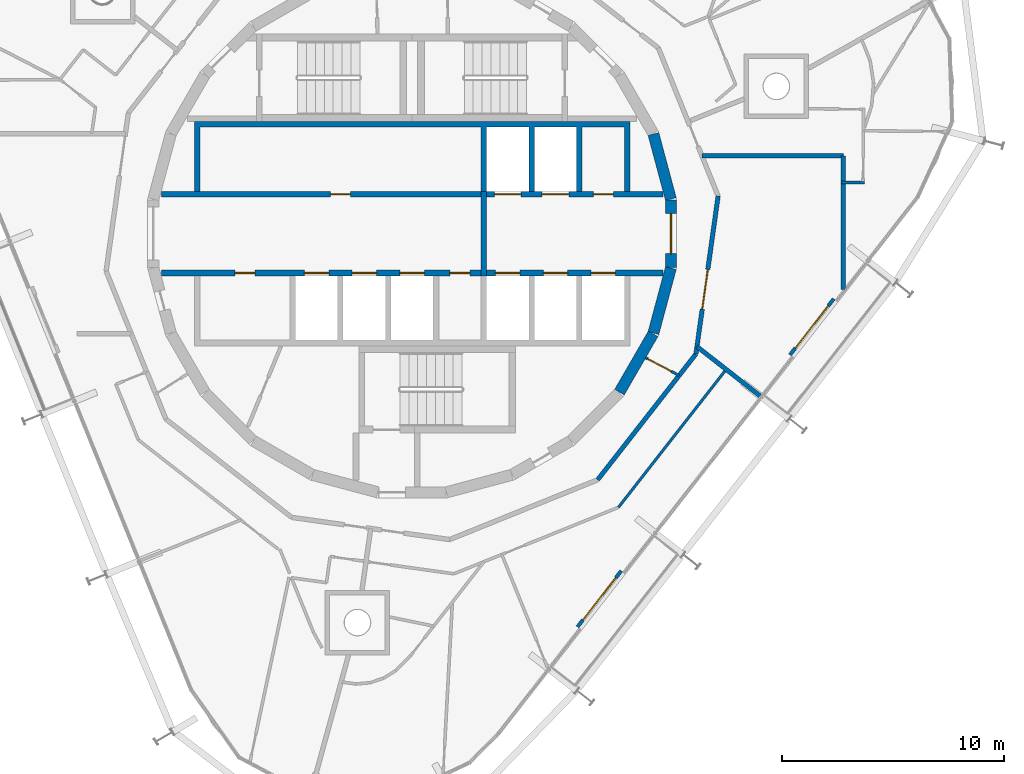
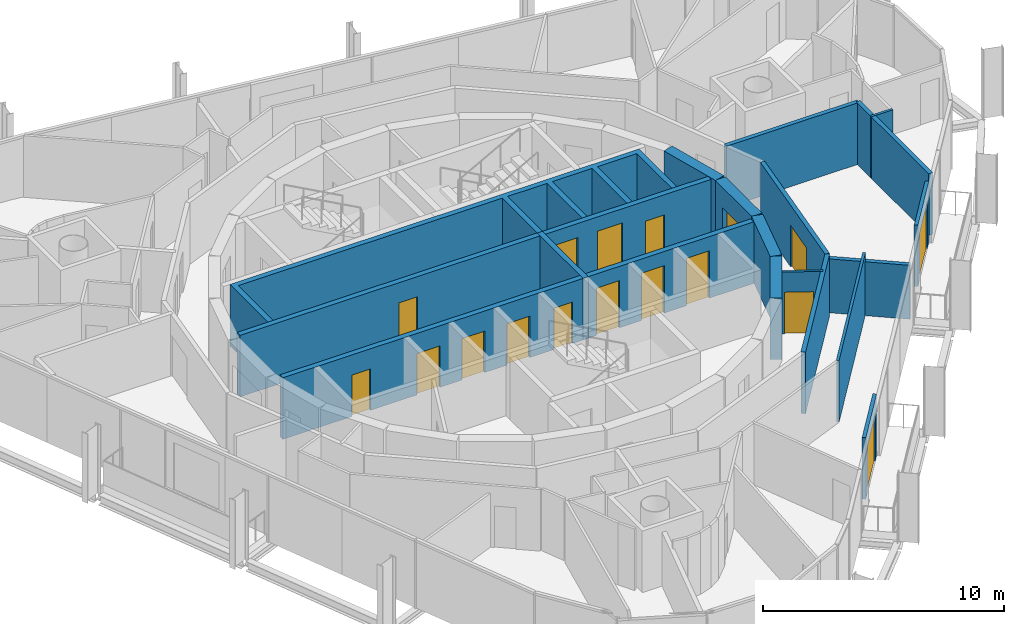
# One storey, part 11 of 15: 20 walls, 17 doors, 17 openings.
"""IFC4 building model written with IfcOpenShell, lengths in metres."""

from ifc_helpers import new_model, si_unit, direction, frame, frame_2d, origin, place, context, subcontext, project, spatial, polyline, rectangle, outline, extrude, material, layer, layer_set, type_object, element, fill, save


model = new_model("IFC4")

# Units and contexts
model_context = context("Model", 3, precision=1e-05, world=origin(), true_north=direction((0.0, 1.0)))
body_context = subcontext(model_context, "Body", "Model", "MODEL_VIEW")
ifc_project = project(units=[si_unit("LENGTHUNIT", "METRE"), si_unit("AREAUNIT", "SQUARE_METRE"), si_unit("VOLUMEUNIT", "CUBIC_METRE"), si_unit("PLANEANGLEUNIT", "RADIAN"), si_unit("MASSUNIT", "GRAM", prefix="KILO")], contexts=[model_context])

# Site, building, storey
site_placement = place(None, origin())
site = spatial("IfcSite", under=ifc_project, at=site_placement, CompositionType="ELEMENT")
building_placement = place(site_placement, origin())
building = spatial("IfcBuilding", under=site, at=building_placement, Name="Spindle Arch Residences", CompositionType="ELEMENT")
storey_placement = place(building_placement, frame((0.0, 0.0, 354.0)))
storey = spatial("IfcBuildingStorey", under=building, at=storey_placement, Name="L91", CompositionType="ELEMENT", Elevation=354.0)

# Walls
ifc_material_1 = material(Name="Concrete C50/60", Category="concrete")
ifc_layer_1 = layer(ifc_material_1, 0.5)
ifc_layer_set_1 = layer_set([ifc_layer_1], Name="Core outline wall 500")
wall_type_1 = type_object("IfcWallType", Name="Core outline wall 500", PredefinedType="SHEAR", material=ifc_layer_set_1)
for number, where, z_axis, x_axis, name in (
    (1, (9.32861328125, -7.13671875, 0.0), (0.0, 0.0, 1.0), (0.500087131594, 0.865975092491, 0.0), "Core outline wall 4"),
    (2, (10.858154296875, -4.479248046875, 0.0), (0.0, 0.0, 1.0), (0.258734743916, 0.965948410781, 0.0), "Core outline wall 5"),
):
    element("IfcWall", number, at=place(storey_placement, frame(where, z_axis=z_axis, x_axis=x_axis)), inside=storey, type_object=wall_type_1, Name=name, PredefinedType="SHEAR", context=body_context, shape_type="SweptSolid", body=[
        extrude(rectangle(XDim=3.03271484375, YDim=0.5, at=frame_2d((1.516357421875, 0.0))), origin(), (0.0, 0.0, 1.0), 3.1201171875),
    ])

# Wall, opening, door
wall_1_placement = place(storey_placement, frame((11.647216796875, -1.516357421875, 0.0), z_axis=(0.0, 0.0, 1.0), x_axis=(0.0, 1.0, 0.0)))
wall_1 = element("IfcWall", 3, at=wall_1_placement, inside=storey, type_object=wall_type_1, Name="Core outline wall 6", PredefinedType="SHEAR", context=body_context, shape_type="SweptSolid", body=[
    extrude(rectangle(XDim=3.03271484375, YDim=0.5, at=frame_2d((1.516357421875, 0.0))), origin(), (0.0, 0.0, 1.0), 3.1201171875),
])
opening_1_placement = place(wall_1_placement, frame((0.6162109375, 0.0, 0.0)))
opening_1 = element("IfcOpeningElement", 4, at=opening_1_placement, cuts=wall_1, Name="Opening R9C0-FE01", PredefinedType="OPENING", context=body_context, shape_type="SweptSolid", body=[
    extrude(rectangle(XDim=1.800048828125, YDim=2.10009765625, at=frame_2d((0.89990234375, 1.050048828125))), frame((0.0, 0.260009765625, 0.0), z_axis=(0.0, -1.0, 0.0), x_axis=(1.0, 0.0, 0.0)), (0.0, 0.0, 1.0), 0.52001953125),
])
ifc_material_2 = material(Name="Steel, fire-resisting door", Category="steel")
door_type_1 = type_object("IfcDoorType", Name="Fire-lift lobby door 1800x2100", OperationType="DOUBLE_DOOR_SINGLE_SWING", PredefinedType="DOOR", material=ifc_material_2)
door_1_placement = place(opening_1_placement, origin())
door_1 = element("IfcDoor", 5, at=door_1_placement, inside=storey, type_object=door_type_1, Name="Fire-lift lobby door R9C0-FE01", OperationType="DOUBLE_DOOR_SINGLE_SWING", OverallHeight=2.10009765625, OverallWidth=1.800048828125, PredefinedType="DOOR", context=body_context, shape_type="SweptSolid", body=[
    extrude(rectangle(XDim=1.800048828125, YDim=2.10009765625, at=frame_2d((0.89990234375, 1.050048828125))), frame((0.0, 0.02490234375, 0.0), z_axis=(0.0, -1.0, 0.0), x_axis=(1.0, 0.0, 0.0)), (0.0, 0.0, 1.0), 0.050048828125),
])
fill(opening_1, door_1)

# Wall
wall_2_placement = place(storey_placement, frame((11.642822265625, 1.5498046875, 0.0), z_axis=(0.0, 0.0, 1.0), x_axis=(-0.258734743916, 0.965948410781, 0.0)))
element("IfcWall", 6, at=wall_2_placement, inside=storey, type_object=wall_type_1, Name="Core outline wall 7", PredefinedType="SHEAR", context=body_context, shape_type="SweptSolid", body=[
    extrude(rectangle(XDim=3.03271484375, YDim=0.5, at=frame_2d((1.516357421875, 0.0))), origin(), (0.0, 0.0, 1.0), 3.1201171875),
])

# Wall, opening, door
ifc_material_3 = material(Name="Plasterboard on steel studs", Category="steel")
ifc_layer_2 = layer(ifc_material_3, 0.1201171875)
ifc_layer_set_2 = layer_set([ifc_layer_2], Name="Corridor division wall 120")
wall_type_2 = type_object("IfcWallType", Name="Corridor division wall 120", PredefinedType="PARTITIONING", material=ifc_layer_set_2)
wall_3_placement = place(storey_placement, frame((10.510986328125, -5.5888671875, 0.0), z_axis=(0.0, 0.0, 1.0), x_axis=(0.882959677414, -0.469448834337, 0.0)))
wall_3 = element("IfcWall", 7, at=wall_3_placement, inside=storey, type_object=wall_type_2, Name="Corridor division wall R9C0-W002", PredefinedType="PARTITIONING", context=body_context, shape_type="SweptSolid", body=[
    extrude(rectangle(XDim=1.7021484375, YDim=0.1201171875, at=frame_2d((0.85107421875, 0.0))), origin(), (0.0, 0.0, 1.0), 3.1201171875),
])
opening_2_placement = place(wall_3_placement, frame((0.10009765625, 0.0, 0.0)))
opening_2 = element("IfcOpeningElement", 8, at=opening_2_placement, cuts=wall_3, Name="Opening R9C0-CD02", PredefinedType="OPENING", context=body_context, shape_type="SweptSolid", body=[
    extrude(rectangle(XDim=1.199951171875, YDim=2.10009765625, at=frame_2d((0.60009765625, 1.050048828125))), frame((0.0, 0.070068359375, 0.0), z_axis=(0.0, -1.0, 0.0), x_axis=(1.0, 0.0, 0.0)), (0.0, 0.0, 1.0), 0.14013671875),
])
ifc_material_4 = material(Name="Steel, fire-resisting door", Category="steel")
door_type_2 = type_object("IfcDoorType", Name="Corridor division door 1200x2100", OperationType="NOTDEFINED", PredefinedType="DOOR", material=ifc_material_4)
door_2_placement = place(opening_2_placement, origin())
door_2 = element("IfcDoor", 9, at=door_2_placement, inside=storey, type_object=door_type_2, Name="Corridor division door R9C0-CD02", OperationType="DOUBLE_DOOR_SINGLE_SWING", OverallHeight=2.10009765625, OverallWidth=1.199951171875, PredefinedType="DOOR", context=body_context, shape_type="SweptSolid", body=[
    extrude(rectangle(XDim=1.199951171875, YDim=2.10009765625, at=frame_2d((0.60009765625, 1.050048828125))), frame((0.0, 0.02490234375, 0.0), z_axis=(0.0, -1.0, 0.0), x_axis=(1.0, 0.0, 0.0)), (0.0, 0.0, 1.0), 0.050048828125),
])
fill(opening_2, door_2)

# Wall
ifc_material_5 = material(Name="Calcium silicate block, plastered")
ifc_layer_3 = layer(ifc_material_5, 0.199951171875)
ifc_layer_set_3 = layer_set([ifc_layer_3], Name="Corridor wall 200")
wall_type_3 = type_object("IfcWallType", Name="Corridor wall 200", PredefinedType="STANDARD", material=ifc_layer_set_3)
wall_4_placement = place(storey_placement, frame((8.348876953125, -11.0791015625, 0.0), z_axis=(0.0, 0.0, 1.0), x_axis=(0.615669112324, 0.78800478687, 0.0)))
element("IfcWall", 10, at=wall_4_placement, inside=storey, type_object=wall_type_3, Name="Corridor wall R9C0-W008", PredefinedType="STANDARD", context=body_context, shape_type="SweptSolid", body=[
    extrude(rectangle(XDim=7.18115234375, YDim=0.199951171875, at=frame_2d((3.590576171875, 0.0))), origin(), (0.0, 0.0, 1.0), 3.1201171875),
])

# Wall, opening, door
ifc_material_6 = material(Name="Calcium silicate block, plastered")
ifc_layer_4 = layer(ifc_material_6, 0.199951171875)
ifc_layer_set_4 = layer_set([ifc_layer_4], Name="Fire-lift lobby bay wall 200")
wall_type_4 = type_object("IfcWallType", Name="Fire-lift lobby bay wall 200", PredefinedType="STANDARD", material=ifc_layer_set_4)
wall_5_placement = place(storey_placement, frame((12.77001953125, -5.42041015625, 0.0), z_axis=(0.0, 0.0, 1.0), x_axis=(0.139155334385, 0.990270565508, 0.0)))
wall_5 = element("IfcWall", 11, at=wall_5_placement, inside=storey, type_object=wall_type_4, Name="Fire-lift lobby bay wall R9C0-W004", PredefinedType="STANDARD", context=body_context, shape_type="SweptSolid", body=[
    extrude(rectangle(XDim=7.180908203125, YDim=0.199951171875, at=frame_2d((3.59033203125, 0.0))), origin(), (0.0, 0.0, 1.0), 3.1201171875),
])
opening_3_placement = place(wall_5_placement, frame((2.039306640625, 0.0, 0.0)))
opening_3 = element("IfcOpeningElement", 12, at=opening_3_placement, cuts=wall_5, Name="Opening R9C0-FB01", PredefinedType="OPENING", context=body_context, shape_type="SweptSolid", body=[
    extrude(rectangle(XDim=1.800048828125, YDim=2.10009765625, at=frame_2d((0.89990234375, 1.050048828125))), frame((0.0, 0.10986328125, 0.0), z_axis=(0.0, -1.0, 0.0), x_axis=(1.0, 0.0, 0.0)), (0.0, 0.0, 1.0), 0.219970703125),
])
ifc_material_7 = material(Name="Steel, fire-resisting door", Category="steel")
door_type_3 = type_object("IfcDoorType", Name="Fire-lift lobby bay door 1800x2100", OperationType="NOTDEFINED", PredefinedType="DOOR", material=ifc_material_7)
door_3_placement = place(opening_3_placement, origin())
door_3 = element("IfcDoor", 13, at=door_3_placement, inside=storey, type_object=door_type_3, Name="Fire-lift lobby bay door R9C0-FB01", OperationType="DOUBLE_DOOR_SINGLE_SWING", OverallHeight=2.10009765625, OverallWidth=1.800048828125, PredefinedType="DOOR", context=body_context, shape_type="SweptSolid", body=[
    extrude(rectangle(XDim=1.800048828125, YDim=2.10009765625, at=frame_2d((0.89990234375, 1.050048828125))), frame((0.0, 0.02490234375, 0.0), z_axis=(0.0, -1.0, 0.0), x_axis=(1.0, 0.0, 0.0)), (0.0, 0.0, 1.0), 0.050048828125),
])
fill(opening_3, door_3)

# Walls
wall_6_placement = place(storey_placement, frame((19.39990234375, -2.519287109375, 0.0), z_axis=(0.0, 0.0, 1.0), x_axis=(0.0, 1.0, 0.0)))
element("IfcWall", 14, at=wall_6_placement, inside=storey, type_object=wall_type_4, Name="Fire-lift lobby bay wall R9C0-W020", PredefinedType="STANDARD", context=body_context, shape_type="SweptSolid", body=[
    extrude(rectangle(XDim=6.019287109375, YDim=0.199951171875, at=frame_2d((3.009765625, 0.0))), origin(), (0.0, 0.0, 1.0), 3.1201171875),
])
wall_7_placement = place(storey_placement, frame((19.39990234375, 3.5, 0.0), z_axis=(0.0, 0.0, 1.0), x_axis=(-1.0, 0.0, 0.0)))
element("IfcWall", 15, at=wall_7_placement, inside=storey, type_object=wall_type_4, Name="Fire-lift lobby bay wall R9C0-W021", PredefinedType="STANDARD", context=body_context, shape_type="SweptSolid", body=[
    extrude(rectangle(XDim=6.361572265625, YDim=0.199951171875, at=frame_2d((3.1806640625, 0.0))), origin(), (0.0, 0.0, 1.0), 3.1201171875),
])
ifc_material_8 = material(Name="Calcium silicate block, plastered")
ifc_layer_5 = layer(ifc_material_8, 0.199951171875)
ifc_layer_set_5 = layer_set([ifc_layer_5], Name="Fire-lift lobby bay wall 200 under beam 2730")
wall_type_5 = type_object("IfcWallType", Name="Fire-lift lobby bay wall 200 under beam 2730", PredefinedType="STANDARD", material=ifc_layer_set_5)
wall_8_placement = place(storey_placement, frame((12.81689453125, -5.086181640625, 0.0), z_axis=(0.0, 0.0, 1.0), x_axis=(0.787994616725, -0.615682129034, 0.0)))
element("IfcWall", 16, at=wall_8_placement, inside=storey, type_object=wall_type_5, Name="Fire-lift lobby bay wall R9C0-W022", PredefinedType="STANDARD", context=body_context, shape_type="SweptSolid", body=[
    extrude(rectangle(XDim=3.607177734375, YDim=0.199951171875, at=frame_2d((1.8037109375, 0.0))), origin(), (0.0, 0.0, 1.0), 2.72998046875),
])

# Wall, openings, doors
ifc_material_9 = material(Name="Concrete C40/50", Category="concrete")
ifc_layer_6 = layer(ifc_material_9, 0.25)
ifc_layer_set_6 = layer_set([ifc_layer_6], Name="Fire-lift lobby wall 250")
wall_type_6 = type_object("IfcWallType", Name="Fire-lift lobby wall 250", PredefinedType="SHEAR", material=ifc_layer_set_6)
wall_9_placement = place(storey_placement, frame((3.35009765625, 1.77490234375, 0.0), z_axis=(0.0, 0.0, 1.0), x_axis=(1.0, 0.0, 0.0)))
wall_9 = element("IfcWall", 17, at=wall_9_placement, inside=storey, type_object=wall_type_6, Name="Lift shaft front wall NE", PredefinedType="SHEAR", context=body_context, shape_type="SweptSolid", body=[
    extrude(rectangle(XDim=7.929931640625, YDim=0.25, at=frame_2d((3.96484375, 0.0))), origin(), (0.0, 0.0, 1.0), 3.1201171875),
])
opening_4_placement = place(wall_9_placement, frame((0.35009765625, 0.0, 0.0)))
opening_4 = element("IfcOpeningElement", 18, at=opening_4_placement, cuts=wall_9, Name="Opening R9C0-SLD01", PredefinedType="OPENING", context=body_context, shape_type="SweptSolid", body=[
    extrude(rectangle(XDim=1.199951171875, YDim=2.39990234375, at=frame_2d((0.60009765625, 1.199951171875))), frame((0.0, 0.135009765625, 0.0), z_axis=(0.0, -1.0, 0.0), x_axis=(1.0, 0.0, 0.0)), (0.0, 0.0, 1.0), 0.27001953125),
])
opening_5_placement = place(wall_9_placement, frame((2.5, 0.0, 0.0)))
opening_5 = element("IfcOpeningElement", 19, at=opening_5_placement, cuts=wall_9, Name="Opening R9C0-SLD02", PredefinedType="OPENING", context=body_context, shape_type="SweptSolid", body=[
    extrude(rectangle(XDim=1.199951171875, YDim=2.39990234375, at=frame_2d((0.60009765625, 1.199951171875))), frame((0.0, 0.135009765625, 0.0), z_axis=(0.0, -1.0, 0.0), x_axis=(1.0, 0.0, 0.0)), (0.0, 0.0, 1.0), 0.27001953125),
])
opening_6_placement = place(wall_9_placement, frame((4.800048828125, 0.0, 0.0)))
opening_6 = element("IfcOpeningElement", 20, at=opening_6_placement, cuts=wall_9, Name="Opening R9C0-WD02", PredefinedType="OPENING", context=body_context, shape_type="SweptSolid", body=[
    extrude(rectangle(XDim=0.89990234375, YDim=2.10009765625, at=frame_2d((0.449951171875, 1.050048828125))), frame((0.0, 0.135009765625, 0.0), z_axis=(0.0, -1.0, 0.0), x_axis=(1.0, 0.0, 0.0)), (0.0, 0.0, 1.0), 0.27001953125),
])
ifc_material_10 = material(Name="Steel, fire-resisting landing door", Category="steel")
door_type_4 = type_object("IfcDoorType", Name="Service lift landing door 1200x2400", OperationType="DOUBLE_DOOR_SLIDING", PredefinedType="DOOR", material=ifc_material_10)
door_4_placement = place(opening_4_placement, origin())
door_4 = element("IfcDoor", 21, at=door_4_placement, inside=storey, type_object=door_type_4, Name="Service lift landing door R9C0-SLD01", OperationType="DOUBLE_DOOR_SLIDING", OverallHeight=2.39990234375, OverallWidth=1.199951171875, PredefinedType="DOOR", context=body_context, shape_type="SweptSolid", body=[
    extrude(rectangle(XDim=1.199951171875, YDim=2.39990234375, at=frame_2d((0.60009765625, 1.199951171875))), frame((0.0, 0.02490234375, 0.0), z_axis=(0.0, -1.0, 0.0), x_axis=(1.0, 0.0, 0.0)), (0.0, 0.0, 1.0), 0.050048828125),
])
fill(opening_4, door_4)
door_5_placement = place(opening_5_placement, origin())
door_5 = element("IfcDoor", 22, at=door_5_placement, inside=storey, type_object=door_type_4, Name="Service lift landing door R9C0-SLD02", OperationType="DOUBLE_DOOR_SLIDING", OverallHeight=2.39990234375, OverallWidth=1.199951171875, PredefinedType="DOOR", context=body_context, shape_type="SweptSolid", body=[
    extrude(rectangle(XDim=1.199951171875, YDim=2.39990234375, at=frame_2d((0.60009765625, 1.199951171875))), frame((0.0, 0.02490234375, 0.0), z_axis=(0.0, -1.0, 0.0), x_axis=(1.0, 0.0, 0.0)), (0.0, 0.0, 1.0), 0.050048828125),
])
fill(opening_5, door_5)
ifc_material_11 = material(Name="Steel, fire-resisting door", Category="steel")
door_type_5 = type_object("IfcDoorType", Name="Service room door 900x2100", OperationType="SINGLE_SWING_LEFT", PredefinedType="DOOR", material=ifc_material_11)
door_6_placement = place(opening_6_placement, origin())
door_6 = element("IfcDoor", 23, at=door_6_placement, inside=storey, type_object=door_type_5, Name="Service room door R9C0-WD02", OperationType="SINGLE_SWING_RIGHT", OverallHeight=2.10009765625, OverallWidth=0.89990234375, PredefinedType="DOOR", context=body_context, shape_type="SweptSolid", body=[
    extrude(rectangle(XDim=0.89990234375, YDim=2.10009765625, at=frame_2d((0.449951171875, 1.050048828125))), frame((0.0, 0.02490234375, 0.0), z_axis=(0.0, -1.0, 0.0), x_axis=(1.0, 0.0, 0.0)), (0.0, 0.0, 1.0), 0.050048828125),
])
fill(opening_6, door_6)

# Wall
wall_10_placement = place(storey_placement, frame((3.22509765625, -1.89990234375, 0.0), z_axis=(0.0, 0.0, 1.0), x_axis=(0.0, 1.0, 0.0)))
element("IfcWall", 24, at=wall_10_placement, inside=storey, type_object=wall_type_6, Name="Fire-fighting lobby partition", PredefinedType="SHEAR", context=body_context, shape_type="SweptSolid", body=[
    extrude(rectangle(XDim=3.7998046875, YDim=0.25, at=frame_2d((1.89990234375, 0.0))), origin(), (0.0, 0.0, 1.0), 3.1201171875),
])

# Wall, openings, doors
ifc_material_12 = material(Name="Concrete C50/60", Category="concrete")
ifc_layer_7 = layer(ifc_material_12, 0.25)
ifc_layer_set_7 = layer_set([ifc_layer_7], Name="Fire-lift shaft wall 250")
wall_type_7 = type_object("IfcWallType", Name="Fire-lift shaft wall 250", PredefinedType="SHEAR", material=ifc_layer_set_7)
wall_11_placement = place(storey_placement, frame((3.35009765625, -1.77490234375, 0.0), z_axis=(0.0, 0.0, 1.0), x_axis=(1.0, 0.0, 0.0)))
wall_11 = element("IfcWall", 25, at=wall_11_placement, inside=storey, type_object=wall_type_7, Name="Lift shaft front wall SE", PredefinedType="SHEAR", context=body_context, shape_type="SweptSolid", body=[
    extrude(rectangle(XDim=7.929931640625, YDim=0.25, at=frame_2d((3.96484375, 0.0))), origin(), (0.0, 0.0, 1.0), 3.1201171875),
])
opening_7_placement = place(wall_11_placement, frame((0.39990234375, 0.0, 0.0)))
opening_7 = element("IfcOpeningElement", 26, at=opening_7_placement, cuts=wall_11, Name="Opening R9C0-FLD01", PredefinedType="OPENING", context=body_context, shape_type="SweptSolid", body=[
    extrude(rectangle(XDim=1.10009765625, YDim=2.39990234375, at=frame_2d((0.550048828125, 1.199951171875))), frame((0.0, 0.135009765625, 0.0), z_axis=(0.0, -1.0, 0.0), x_axis=(1.0, 0.0, 0.0)), (0.0, 0.0, 1.0), 0.27001953125),
])
opening_8_placement = place(wall_11_placement, frame((2.550048828125, 0.0, 0.0)))
opening_8 = element("IfcOpeningElement", 27, at=opening_8_placement, cuts=wall_11, Name="Opening R9C0-FLD02", PredefinedType="OPENING", context=body_context, shape_type="SweptSolid", body=[
    extrude(rectangle(XDim=1.10009765625, YDim=2.39990234375, at=frame_2d((0.550048828125, 1.199951171875))), frame((0.0, 0.135009765625, 0.0), z_axis=(0.0, -1.0, 0.0), x_axis=(1.0, 0.0, 0.0)), (0.0, 0.0, 1.0), 0.27001953125),
])
opening_9_placement = place(wall_11_placement, frame((4.699951171875, 0.0, 0.0)))
opening_9 = element("IfcOpeningElement", 28, at=opening_9_placement, cuts=wall_11, Name="Opening R9C0-FLD03", PredefinedType="OPENING", context=body_context, shape_type="SweptSolid", body=[
    extrude(rectangle(XDim=1.10009765625, YDim=2.39990234375, at=frame_2d((0.550048828125, 1.199951171875))), frame((0.0, 0.135009765625, 0.0), z_axis=(0.0, -1.0, 0.0), x_axis=(1.0, 0.0, 0.0)), (0.0, 0.0, 1.0), 0.27001953125),
])
ifc_material_13 = material(Name="Steel, fire-resisting landing door", Category="steel")
door_type_6 = type_object("IfcDoorType", Name="Fire-fighting lift landing door 1100x2400", OperationType="DOUBLE_DOOR_SLIDING", PredefinedType="DOOR", material=ifc_material_13)
door_7_placement = place(opening_7_placement, origin())
door_7 = element("IfcDoor", 29, at=door_7_placement, inside=storey, type_object=door_type_6, Name="Fire-fighting lift landing door R9C0-FLD01", OperationType="DOUBLE_DOOR_SLIDING", OverallHeight=2.39990234375, OverallWidth=1.10009765625, PredefinedType="DOOR", context=body_context, shape_type="SweptSolid", body=[
    extrude(rectangle(XDim=1.10009765625, YDim=2.39990234375, at=frame_2d((0.550048828125, 1.199951171875))), frame((0.0, 0.02490234375, 0.0), z_axis=(0.0, -1.0, 0.0), x_axis=(1.0, 0.0, 0.0)), (0.0, 0.0, 1.0), 0.050048828125),
])
fill(opening_7, door_7)
door_8_placement = place(opening_8_placement, origin())
door_8 = element("IfcDoor", 30, at=door_8_placement, inside=storey, type_object=door_type_6, Name="Fire-fighting lift landing door R9C0-FLD02", OperationType="DOUBLE_DOOR_SLIDING", OverallHeight=2.39990234375, OverallWidth=1.10009765625, PredefinedType="DOOR", context=body_context, shape_type="SweptSolid", body=[
    extrude(rectangle(XDim=1.10009765625, YDim=2.39990234375, at=frame_2d((0.550048828125, 1.199951171875))), frame((0.0, 0.02490234375, 0.0), z_axis=(0.0, -1.0, 0.0), x_axis=(1.0, 0.0, 0.0)), (0.0, 0.0, 1.0), 0.050048828125),
])
fill(opening_8, door_8)
door_9_placement = place(opening_9_placement, origin())
door_9 = element("IfcDoor", 31, at=door_9_placement, inside=storey, type_object=door_type_6, Name="Fire-fighting lift landing door R9C0-FLD03", OperationType="DOUBLE_DOOR_SLIDING", OverallHeight=2.39990234375, OverallWidth=1.10009765625, PredefinedType="DOOR", context=body_context, shape_type="SweptSolid", body=[
    extrude(rectangle(XDim=1.10009765625, YDim=2.39990234375, at=frame_2d((0.550048828125, 1.199951171875))), frame((0.0, 0.02490234375, 0.0), z_axis=(0.0, -1.0, 0.0), x_axis=(1.0, 0.0, 0.0)), (0.0, 0.0, 1.0), 0.050048828125),
])
fill(opening_9, door_9)

# Walls
ifc_material_14 = material(Name="Plasterboard on steel studs", Category="steel")
ifc_layer_8 = layer(ifc_material_14, 0.1201171875)
ifc_layer_set_8 = layer_set([ifc_layer_8], Name="Flat partition 120")
wall_type_8 = type_object("IfcWallType", Name="Flat partition 120", PredefinedType="PARTITIONING", material=ifc_layer_set_8)
wall_12_placement = place(storey_placement, frame((19.300048828125, 2.302001953125, 0.0), z_axis=(0.0, 0.0, 1.0), x_axis=(0.999958506341, -0.009109643015, 0.0)))
element("IfcWall", 32, at=wall_12_placement, inside=storey, type_object=wall_type_8, Name="Flat partition R9C0-W030", PredefinedType="PARTITIONING", context=body_context, shape_type="SweptSolid", body=[
    extrude(rectangle(XDim=1.045166015625, YDim=0.1201171875, at=frame_2d((0.5224609375, 0.0))), origin(), (0.0, 0.0, 1.0), 3.1201171875),
])
wall_13_placement = place(storey_placement, frame((9.283447265625, -12.3193359375, 0.0), z_axis=(0.0, 0.0, 1.0), x_axis=(0.615666903036, 0.788006512985, 0.0)))
element("IfcWall", 33, at=wall_13_placement, inside=storey, type_object=wall_type_8, Name="Flat partition R9C0-W081", PredefinedType="PARTITIONING", context=body_context, shape_type="SweptSolid", body=[
    extrude(rectangle(XDim=7.875, YDim=0.1201171875, at=frame_2d((3.9375, 0.0))), origin(), (0.0, 0.0, 1.0), 3.1201171875),
])

# Wall, opening, door
ifc_material_15 = material(Name="Non-combustible mineral wool insulated aluminium faced external wall (K0)", Category="aluminium")
ifc_layer_9 = layer(ifc_material_15, 0.159912109375)
ifc_layer_set_9 = layer_set([ifc_layer_9], Name="Insulated external wall panel 160")
wall_type_9 = type_object("IfcWallType", Name="Insulated external wall panel 160", PredefinedType="STANDARD", material=ifc_layer_set_9)
wall_14_placement = place(storey_placement, frame((7.439697265625, -17.69775390625, 0.0), z_axis=(0.0, 0.0, 1.0), x_axis=(0.615666248856, 0.788007024093, 0.0)))
wall_14 = element("IfcWall", 34, at=wall_14_placement, inside=storey, type_object=wall_type_9, Name="External wall L91 bay 19", PredefinedType="STANDARD", context=body_context, shape_type="SweptSolid", body=[
    extrude(rectangle(XDim=3.2001953125, YDim=0.159912109375, at=frame_2d((1.60009765625, 0.0))), origin(), (0.0, 0.0, 1.0), 3.1201171875),
])
opening_10_placement = place(wall_14_placement, frame((0.39990234375, 0.0, 0.0)))
opening_10 = element("IfcOpeningElement", 35, at=opening_10_placement, cuts=wall_14, Name="Opening BD19", PredefinedType="OPENING", context=body_context, shape_type="SweptSolid", body=[
    extrude(rectangle(XDim=2.39990234375, YDim=2.39990234375, at=frame_2d((1.199951171875, 1.199951171875))), frame((0.0, 0.08984375, 0.0), z_axis=(0.0, -1.0, 0.0), x_axis=(1.0, 0.0, 0.0)), (0.0, 0.0, 1.0), 0.179931640625),
])
ifc_material_16 = material(Name="Bronze aluminium frame, tinted double glazing", Category="aluminium")
door_type_7 = type_object("IfcDoorType", Name="Sliding glazed balcony door 2400x2400", OperationType="DOUBLE_DOOR_SLIDING", PredefinedType="DOOR", material=ifc_material_16)
door_10_placement = place(opening_10_placement, origin())
door_10 = element("IfcDoor", 36, at=door_10_placement, inside=storey, type_object=door_type_7, Name="Balcony door BD19", OperationType="DOUBLE_DOOR_SLIDING", OverallHeight=2.39990234375, OverallWidth=2.39990234375, PredefinedType="DOOR", context=body_context, shape_type="SweptSolid", body=[
    extrude(rectangle(XDim=2.39990234375, YDim=2.39990234375, at=frame_2d((1.199951171875, 1.199951171875))), frame((0.0, 0.02490234375, 0.0), z_axis=(0.0, -1.0, 0.0), x_axis=(1.0, 0.0, 0.0)), (0.0, 0.0, 1.0), 0.050048828125),
])
fill(opening_10, door_10)

wall_15_placement = place(storey_placement, frame((17.001708984375, -5.458984375, 0.0), z_axis=(0.0, 0.0, 1.0), x_axis=(0.615666248856, 0.788007024093, 0.0)))
wall_15 = element("IfcWall", 37, at=wall_15_placement, inside=storey, type_object=wall_type_9, Name="External wall L91 bay 1", PredefinedType="STANDARD", context=body_context, shape_type="SweptSolid", body=[
    extrude(rectangle(XDim=3.2001953125, YDim=0.159912109375, at=frame_2d((1.60009765625, 0.0))), origin(), (0.0, 0.0, 1.0), 3.1201171875),
])
opening_11_placement = place(wall_15_placement, frame((0.39990234375, 0.0, 0.0)))
opening_11 = element("IfcOpeningElement", 38, at=opening_11_placement, cuts=wall_15, Name="Opening BD01", PredefinedType="OPENING", context=body_context, shape_type="SweptSolid", body=[
    extrude(rectangle(XDim=2.39990234375, YDim=2.39990234375, at=frame_2d((1.199951171875, 1.199951171875))), frame((0.0, 0.08984375, 0.0), z_axis=(0.0, -1.0, 0.0), x_axis=(1.0, 0.0, 0.0)), (0.0, 0.0, 1.0), 0.179931640625),
])
door_11_placement = place(opening_11_placement, origin())
door_11 = element("IfcDoor", 39, at=door_11_placement, inside=storey, type_object=door_type_7, Name="Balcony door BD01", OperationType="DOUBLE_DOOR_SLIDING", OverallHeight=2.39990234375, OverallWidth=2.39990234375, PredefinedType="DOOR", context=body_context, shape_type="SweptSolid", body=[
    extrude(rectangle(XDim=2.39990234375, YDim=2.39990234375, at=frame_2d((1.199951171875, 1.199951171875))), frame((0.0, 0.02490234375, 0.0), z_axis=(0.0, -1.0, 0.0), x_axis=(1.0, 0.0, 0.0)), (0.0, 0.0, 1.0), 0.050048828125),
])
fill(opening_11, door_11)

ifc_material_17 = material(Name="Concrete C50/60", Category="concrete")
ifc_layer_10 = layer(ifc_material_17, 0.25)
ifc_layer_set_10 = layer_set([ifc_layer_10], Name="Lift shaft wall 250")
wall_type_10 = type_object("IfcWallType", Name="Lift shaft wall 250", PredefinedType="SHEAR", material=ifc_layer_set_10)
wall_16_placement = place(storey_placement, frame((-11.280029296875, 1.77490234375, 0.0), z_axis=(0.0, 0.0, 1.0), x_axis=(1.0, 0.0, 0.0)))
wall_16 = element("IfcWall", 40, at=wall_16_placement, inside=storey, type_object=wall_type_10, Name="Lift shaft front wall NW", PredefinedType="SHEAR", context=body_context, shape_type="SweptSolid", body=[
    extrude(rectangle(XDim=14.380126953125, YDim=0.25, at=frame_2d((7.18994140625, 0.0))), origin(), (0.0, 0.0, 1.0), 3.1201171875),
])
opening_12_placement = place(wall_16_placement, frame((7.60498046875, 0.0, 0.0)))
opening_12 = element("IfcOpeningElement", 41, at=opening_12_placement, cuts=wall_16, Name="Opening R9C0-WD01", PredefinedType="OPENING", context=body_context, shape_type="SweptSolid", body=[
    extrude(rectangle(XDim=0.89990234375, YDim=2.10009765625, at=frame_2d((0.449951171875, 1.050048828125))), frame((0.0, 0.135009765625, 0.0), z_axis=(0.0, -1.0, 0.0), x_axis=(1.0, 0.0, 0.0)), (0.0, 0.0, 1.0), 0.27001953125),
])
door_12_placement = place(opening_12_placement, origin())
door_12 = element("IfcDoor", 42, at=door_12_placement, inside=storey, type_object=door_type_5, Name="Service room door R9C0-WD01", OperationType="SINGLE_SWING_LEFT", OverallHeight=2.10009765625, OverallWidth=0.89990234375, PredefinedType="DOOR", context=body_context, shape_type="SweptSolid", body=[
    extrude(rectangle(XDim=0.89990234375, YDim=2.10009765625, at=frame_2d((0.449951171875, 1.050048828125))), frame((0.0, 0.02490234375, 0.0), z_axis=(0.0, -1.0, 0.0), x_axis=(1.0, 0.0, 0.0)), (0.0, 0.0, 1.0), 0.050048828125),
])
fill(opening_12, door_12)

# Wall, openings, doors
wall_17_placement = place(storey_placement, frame((-11.280029296875, -1.77490234375, 0.0), z_axis=(0.0, 0.0, 1.0), x_axis=(1.0, 0.0, 0.0)))
wall_17 = element("IfcWall", 43, at=wall_17_placement, inside=storey, type_object=wall_type_10, Name="Lift shaft front wall SW", PredefinedType="SHEAR", context=body_context, shape_type="SweptSolid", body=[
    extrude(rectangle(XDim=14.380126953125, YDim=0.25, at=frame_2d((7.18994140625, 0.0))), origin(), (0.0, 0.0, 1.0), 3.1201171875),
])
opening_13_placement = place(wall_17_placement, frame((6.429931640625, 0.0, 0.0)))
opening_13 = element("IfcOpeningElement", 44, at=opening_13_placement, cuts=wall_17, Name="Opening R9C0-LD01", PredefinedType="OPENING", context=body_context, shape_type="SweptSolid", body=[
    extrude(rectangle(XDim=1.10009765625, YDim=2.10009765625, at=frame_2d((0.550048828125, 1.050048828125))), frame((0.0, 0.135009765625, 0.0), z_axis=(0.0, -1.0, 0.0), x_axis=(1.0, 0.0, 0.0)), (0.0, 0.0, 1.0), 0.27001953125),
])
opening_14_placement = place(wall_17_placement, frame((8.580078125, 0.0, 0.0)))
opening_14 = element("IfcOpeningElement", 45, at=opening_14_placement, cuts=wall_17, Name="Opening R9C0-LD02", PredefinedType="OPENING", context=body_context, shape_type="SweptSolid", body=[
    extrude(rectangle(XDim=1.10009765625, YDim=2.10009765625, at=frame_2d((0.550048828125, 1.050048828125))), frame((0.0, 0.135009765625, 0.0), z_axis=(0.0, -1.0, 0.0), x_axis=(1.0, 0.0, 0.0)), (0.0, 0.0, 1.0), 0.27001953125),
])
opening_15_placement = place(wall_17_placement, frame((10.72998046875, 0.0, 0.0)))
opening_15 = element("IfcOpeningElement", 46, at=opening_15_placement, cuts=wall_17, Name="Opening R9C0-LD03", PredefinedType="OPENING", context=body_context, shape_type="SweptSolid", body=[
    extrude(rectangle(XDim=1.10009765625, YDim=2.10009765625, at=frame_2d((0.550048828125, 1.050048828125))), frame((0.0, 0.135009765625, 0.0), z_axis=(0.0, -1.0, 0.0), x_axis=(1.0, 0.0, 0.0)), (0.0, 0.0, 1.0), 0.27001953125),
])
opening_16_placement = place(wall_17_placement, frame((3.304931640625, 0.0, 0.0)))
opening_16 = element("IfcOpeningElement", 47, at=opening_16_placement, cuts=wall_17, Name="Opening R9C0-WD03", PredefinedType="OPENING", context=body_context, shape_type="SweptSolid", body=[
    extrude(rectangle(XDim=0.89990234375, YDim=2.10009765625, at=frame_2d((0.449951171875, 1.050048828125))), frame((0.0, 0.135009765625, 0.0), z_axis=(0.0, -1.0, 0.0), x_axis=(1.0, 0.0, 0.0)), (0.0, 0.0, 1.0), 0.27001953125),
])
opening_17_placement = place(wall_17_placement, frame((12.97998046875, 0.0, 0.0)))
opening_17 = element("IfcOpeningElement", 48, at=opening_17_placement, cuts=wall_17, Name="Opening R9C0-WD04", PredefinedType="OPENING", context=body_context, shape_type="SweptSolid", body=[
    extrude(rectangle(XDim=0.89990234375, YDim=2.10009765625, at=frame_2d((0.449951171875, 1.050048828125))), frame((0.0, 0.135009765625, 0.0), z_axis=(0.0, -1.0, 0.0), x_axis=(1.0, 0.0, 0.0)), (0.0, 0.0, 1.0), 0.27001953125),
])
ifc_material_18 = material(Name="Steel, fire-resisting landing door", Category="steel")
door_type_8 = type_object("IfcDoorType", Name="Lift landing door 1100x2100", OperationType="DOUBLE_DOOR_SLIDING", PredefinedType="DOOR", material=ifc_material_18)
door_13_placement = place(opening_13_placement, origin())
door_13 = element("IfcDoor", 49, at=door_13_placement, inside=storey, type_object=door_type_8, Name="Lift landing door R9C0-LD01", OperationType="DOUBLE_DOOR_SLIDING", OverallHeight=2.10009765625, OverallWidth=1.10009765625, PredefinedType="DOOR", context=body_context, shape_type="SweptSolid", body=[
    extrude(rectangle(XDim=1.10009765625, YDim=2.10009765625, at=frame_2d((0.550048828125, 1.050048828125))), frame((0.0, 0.02490234375, 0.0), z_axis=(0.0, -1.0, 0.0), x_axis=(1.0, 0.0, 0.0)), (0.0, 0.0, 1.0), 0.050048828125),
])
fill(opening_13, door_13)
door_14_placement = place(opening_14_placement, origin())
door_14 = element("IfcDoor", 50, at=door_14_placement, inside=storey, type_object=door_type_8, Name="Lift landing door R9C0-LD02", OperationType="DOUBLE_DOOR_SLIDING", OverallHeight=2.10009765625, OverallWidth=1.10009765625, PredefinedType="DOOR", context=body_context, shape_type="SweptSolid", body=[
    extrude(rectangle(XDim=1.10009765625, YDim=2.10009765625, at=frame_2d((0.550048828125, 1.050048828125))), frame((0.0, 0.02490234375, 0.0), z_axis=(0.0, -1.0, 0.0), x_axis=(1.0, 0.0, 0.0)), (0.0, 0.0, 1.0), 0.050048828125),
])
fill(opening_14, door_14)
door_15_placement = place(opening_15_placement, origin())
door_15 = element("IfcDoor", 51, at=door_15_placement, inside=storey, type_object=door_type_8, Name="Lift landing door R9C0-LD03", OperationType="DOUBLE_DOOR_SLIDING", OverallHeight=2.10009765625, OverallWidth=1.10009765625, PredefinedType="DOOR", context=body_context, shape_type="SweptSolid", body=[
    extrude(rectangle(XDim=1.10009765625, YDim=2.10009765625, at=frame_2d((0.550048828125, 1.050048828125))), frame((0.0, 0.02490234375, 0.0), z_axis=(0.0, -1.0, 0.0), x_axis=(1.0, 0.0, 0.0)), (0.0, 0.0, 1.0), 0.050048828125),
])
fill(opening_15, door_15)
door_16_placement = place(opening_16_placement, origin())
door_16 = element("IfcDoor", 52, at=door_16_placement, inside=storey, type_object=door_type_5, Name="Service room door R9C0-WD03", OperationType="SINGLE_SWING_LEFT", OverallHeight=2.10009765625, OverallWidth=0.89990234375, PredefinedType="DOOR", context=body_context, shape_type="SweptSolid", body=[
    extrude(rectangle(XDim=0.89990234375, YDim=2.10009765625, at=frame_2d((0.449951171875, 1.050048828125))), frame((0.0, 0.02490234375, 0.0), z_axis=(0.0, -1.0, 0.0), x_axis=(1.0, 0.0, 0.0)), (0.0, 0.0, 1.0), 0.050048828125),
])
fill(opening_16, door_16)
door_17_placement = place(opening_17_placement, origin())
door_17 = element("IfcDoor", 53, at=door_17_placement, inside=storey, type_object=door_type_5, Name="Service room door R9C0-WD04", OperationType="SINGLE_SWING_RIGHT", OverallHeight=2.10009765625, OverallWidth=0.89990234375, PredefinedType="DOOR", context=body_context, shape_type="SweptSolid", body=[
    extrude(rectangle(XDim=0.89990234375, YDim=2.10009765625, at=frame_2d((0.449951171875, 1.050048828125))), frame((0.0, 0.02490234375, 0.0), z_axis=(0.0, -1.0, 0.0), x_axis=(1.0, 0.0, 0.0)), (0.0, 0.0, 1.0), 0.050048828125),
])
fill(opening_17, door_17)

# Wall
ifc_material_19 = material(Name="Concrete C50/60", Category="concrete")
wall_type_11 = type_object("IfcWallType", Name="Lift shaft wall profile", PredefinedType="SHEAR", material=ifc_material_19)
wall_18_placement = place(storey_placement, origin())
element("IfcWall", 54, at=wall_18_placement, inside=storey, type_object=wall_type_11, Name="Lift shaft walls N", PredefinedType="SHEAR", context=body_context, shape_type="SweptSolid", body=[
    extrude(outline(polyline([(-9.800048828125, 1.89990234375), (-9.550048828125, 1.89990234375), (-9.550048828125, 4.800048828125), (3.10009765625, 4.800048828125), (3.10009765625, 1.89990234375), (3.35009765625, 1.89990234375), (3.35009765625, 4.800048828125), (5.25, 4.800048828125), (5.25, 1.89990234375), (5.5, 1.89990234375), (5.5, 4.800048828125), (7.39990234375, 4.800048828125), (7.39990234375, 1.89990234375), (7.64990234375, 1.89990234375), (7.64990234375, 4.800048828125), (9.550048828125, 4.800048828125), (9.550048828125, 1.89990234375), (9.800048828125, 1.89990234375), (9.800048828125, 4.800048828125), (9.800048828125, 5.050048828125), (-9.800048828125, 5.050048828125), (-9.800048828125, 4.800048828125), (-9.800048828125, 1.89990234375)])), origin(), (0.0, 0.0, 1.0), 3.1201171875),
])

save(model, "model.ifc")
